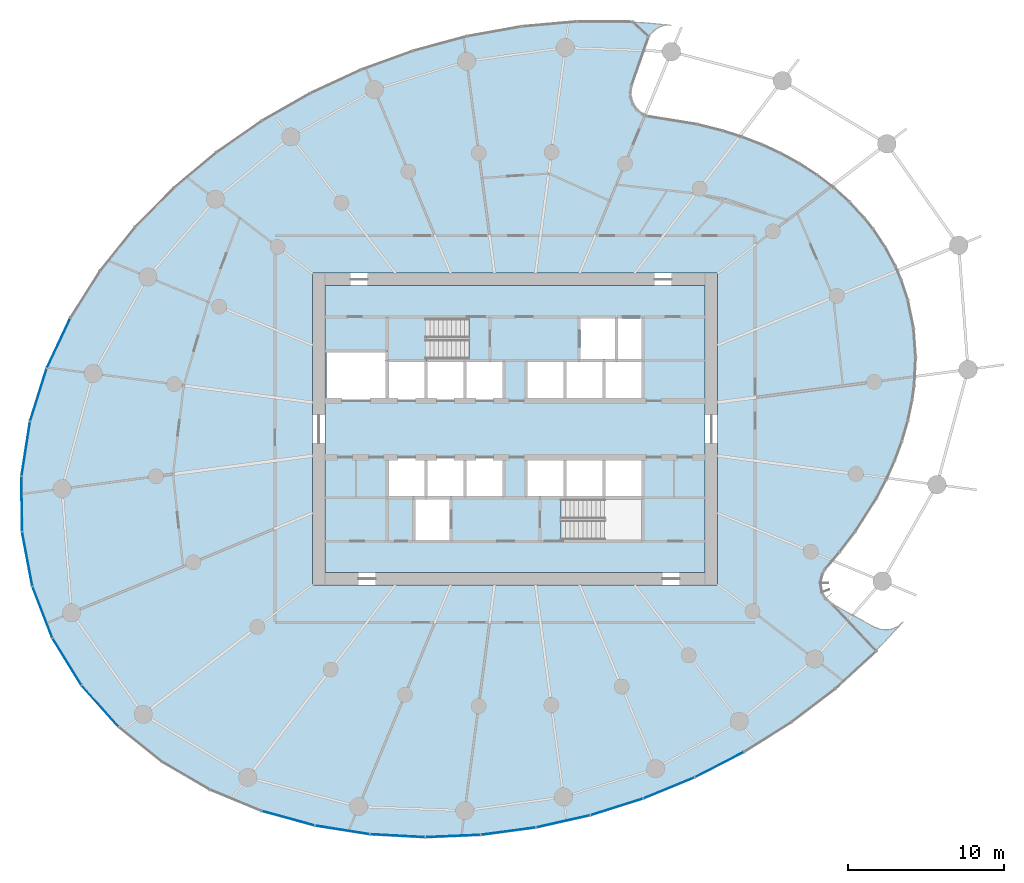
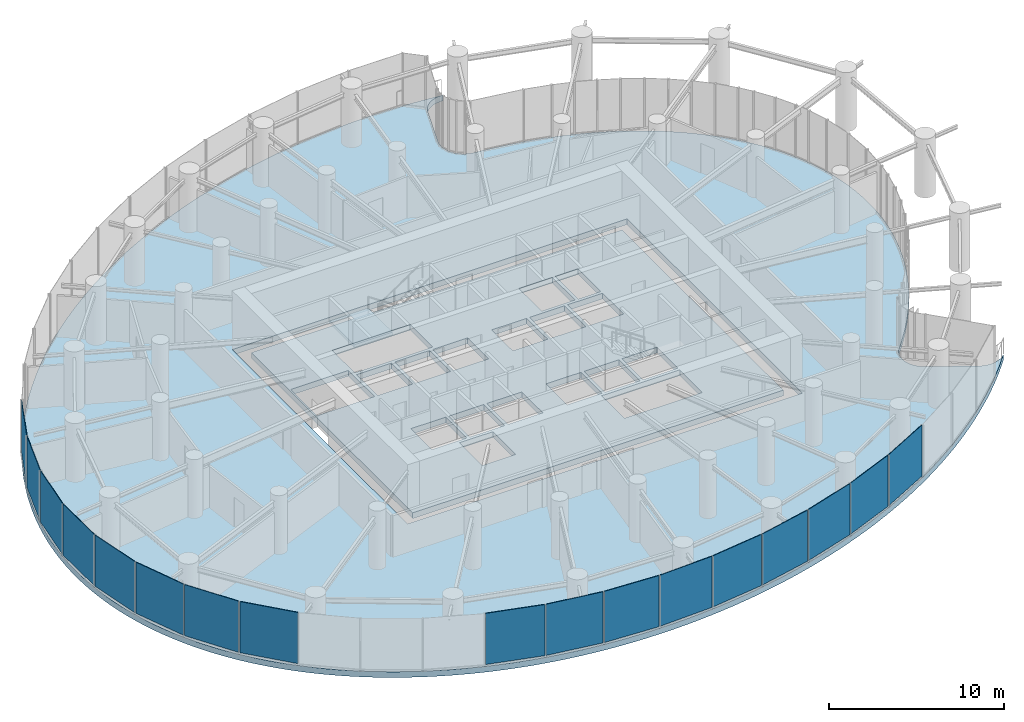
# One storey, part 10 of 21: 17 plates, 3 slabs, 5 elements without a shape of their own.
"""IFC4 building model written with IfcOpenShell, lengths in metres."""

from ifc_helpers import new_model, si_unit, direction, frame, origin, origin_2d, place, context, subcontext, project, spatial, line, indexed_curve, rectangle, outline, extrude, source, transform, mapped, material, layer, layer_set, type_object, element, aggregate, save


model = new_model("IFC4")

# Units and contexts
model_context = context("Model", 3, precision=1e-05, world=origin(), true_north=direction((0.0, 1.0)))
body_context = subcontext(model_context, "Body", "Model", "MODEL_VIEW")
ifc_project = project(units=[si_unit("LENGTHUNIT", "METRE"), si_unit("AREAUNIT", "SQUARE_METRE"), si_unit("VOLUMEUNIT", "CUBIC_METRE"), si_unit("PLANEANGLEUNIT", "RADIAN"), si_unit("MASSUNIT", "GRAM", prefix="KILO")], contexts=[model_context])

# Site, building, storey
site_placement = place(None, origin())
site = spatial("IfcSite", under=ifc_project, at=site_placement, CompositionType="ELEMENT")
building_placement = place(site_placement, origin())
building = spatial("IfcBuilding", under=site, at=building_placement, Name="Spindrift Exchange Tower", CompositionType="ELEMENT")
storey_placement = place(building_placement, frame((0.0, 0.0, 83.89990234375)))
storey = spatial("IfcBuildingStorey", under=building, at=storey_placement, Name="L19", CompositionType="ELEMENT", Elevation=83.89990234375)

# Slabs
ifc_material_1 = material(Name="Concrete 50 MPa", Category="concrete")
ifc_layer_1 = layer(ifc_material_1, 0.39990234375)
ifc_layer_set_1 = layer_set([ifc_layer_1], Name="RC Floor Slab 400 Concrete 50 MPa")
slab_type_1 = type_object("IfcSlabType", Name="RC Floor Slab 400 Concrete 50 MPa", PredefinedType="FLOOR", material=ifc_layer_set_1)
slab_1_placement = place(storey_placement, frame((0.0, 0.0, -0.39990234375)))
element("IfcSlab", 1, at=slab_1_placement, inside=storey, type_object=slab_type_1, Name="Floor slab L19", PredefinedType="FLOOR", context=body_context, shape_type="SweptSolid", body=[
    extrude(outline(indexed_curve([(76.87890625, 35.631591796875), (76.034912109375, 34.676513671875), (75.340576171875, 33.94189453125), (74.985595703125, 33.58203125), (74.260986328125, 32.877197265625), (73.891357421875, 32.532470703125), (73.138427734375, 31.858154296875), (72.36767578125, 31.2041015625), (71.975830078125, 30.884765625), (71.179931640625, 30.26171875), (70.77587890625, 29.9580078125), (69.95654296875, 29.365966796875), (69.54150390625, 29.07763671875), (68.7001953125, 28.51708984375), (67.845458984375, 27.977783203125), (67.4130859375, 27.7158203125), (66.538818359375, 27.20849609375), (65.652587890625, 26.722412109375), (65.205078125, 26.4873046875), (64.3017578125, 26.03369140625), (63.3876953125, 25.601806640625), (62.4638671875, 25.19189453125), (61.998046875, 24.995361328125), (61.5302734375, 24.804443359375), (60.587646484375, 24.439208984375), (59.63671875, 24.096435546875), (59.158203125, 23.933837890625), (58.677734375, 23.776611328125), (57.71142578125, 23.47998046875), (57.2255859375, 23.34033203125), (56.24951171875, 23.07861328125), (55.266845703125, 22.840576171875), (54.773681640625, 22.73046875), (53.783203125, 22.528564453125), (52.7880859375, 22.351318359375), (52.288818359375, 22.271728515625), (51.287841796875, 22.1318359375), (50.283447265625, 22.01708984375), (49.7802734375, 21.969482421875), (48.772216796875, 21.8935546875), (48.267578125, 21.865478515625), (47.257568359375, 21.829345703125), (46.24658203125, 21.8203125), (45.236083984375, 21.8388671875), (44.73095703125, 21.8583984375), (43.721923828125, 21.919189453125), (42.715087890625, 22.0087890625), (42.212890625, 22.064453125), (41.210693359375, 22.197998046875), (40.21337890625, 22.36181640625), (39.716552734375, 22.455078125), (38.727783203125, 22.665283203125), (38.236083984375, 22.781982421875), (37.2587890625, 23.03955078125), (36.290283203125, 23.32958984375), (35.81005859375, 23.48681640625), (34.85791015625, 23.826416015625), (33.918701171875, 24.19970703125), (32.993408203125, 24.60693359375), (32.536865234375, 24.82373046875), (31.63671875, 25.283203125), (31.193359375, 25.52587890625), (30.7548828125, 25.777587890625), (30.322021484375, 26.0380859375), (29.894287109375, 26.3076171875), (29.472412109375, 26.585693359375), (29.056396484375, 26.872802734375), (28.646484375, 27.168701171875), (28.243408203125, 27.4736328125), (27.846923828125, 27.787109375), (27.457763671875, 28.109619140625), (27.075927734375, 28.440673828125), (26.70166015625, 28.780517578125), (26.33544921875, 29.128662109375), (25.9775390625, 29.485595703125), (25.628173828125, 29.850830078125), (25.28759765625, 30.224365234375), (24.956298828125, 30.60595703125), (24.634521484375, 30.99560546875), (24.322265625, 31.39306640625), (24.020263671875, 31.79833984375), (23.728515625, 32.2109375), (23.447021484375, 32.630859375), (23.176513671875, 33.057861328125), (22.917236328125, 33.49169921875), (22.669189453125, 33.931884765625), (22.432373046875, 34.37841796875), (22.20751953125, 34.8310546875), (21.994384765625, 35.289306640625), (21.79345703125, 35.753173828125), (21.604736328125, 36.221923828125), (21.42822265625, 36.695556640625), (21.264404296875, 37.173583984375), (21.11279296875, 37.656005859375), (20.97412109375, 38.141845703125), (20.84814453125, 38.63134765625), (20.734619140625, 39.123779296875), (20.634033203125, 39.619140625), (20.54638671875, 40.116943359375), (20.47119140625, 40.61669921875), (20.40869140625, 41.1181640625), (20.35888671875, 41.62109375), (20.32177734375, 42.125244140625), (20.297119140625, 42.630126953125), (20.28466796875, 43.13525390625), (20.28466796875, 43.640625), (20.296630859375, 44.14599609375), (20.32080078125, 44.65087890625), (20.356689453125, 45.155029296875), (20.404052734375, 45.658203125), (20.463134765625, 46.16015625), (20.53369140625, 46.66064453125), (20.615234375, 47.159423828125), (20.707763671875, 47.65625), (20.81103515625, 48.15087890625), (20.925048828125, 48.6435546875), (21.04931640625, 49.13330078125), (21.183837890625, 49.62060546875), (21.328369140625, 50.10498046875), (21.482666015625, 50.586181640625), (21.819580078125, 51.5390625), (22.002197265625, 52.010498046875), (22.393798828125, 52.9423828125), (22.6025390625, 53.402587890625), (23.045166015625, 54.311279296875), (23.278564453125, 54.759521484375), (23.768798828125, 55.6435546875), (24.025146484375, 56.0791015625), (24.559814453125, 56.93701171875), (24.837646484375, 57.359375), (25.41357421875, 58.18994140625), (25.711181640625, 58.598388671875), (26.32568359375, 59.40087890625), (26.64208984375, 59.795166015625), (27.29248046875, 60.569091796875), (27.965087890625, 61.323486328125), (28.309814453125, 61.693115234375), (28.659423828125, 62.05810546875), (29.374267578125, 62.772705078125), (30.108642578125, 63.467529296875), (30.861572265625, 64.141845703125), (31.63232421875, 64.7958984375), (32.024169921875, 65.115234375), (32.420166015625, 65.42919921875), (33.22412109375, 66.0419921875), (33.6318359375, 66.3408203125), (34.45849609375, 66.92236328125), (35.2998046875, 67.48291015625), (36.154541015625, 68.022216796875), (36.5869140625, 68.2841796875), (37.461181640625, 68.79150390625), (37.90283203125, 69.037353515625), (38.794921875, 69.5126953125), (39.6982421875, 69.96630859375), (40.15380859375, 70.18505859375), (41.072998046875, 70.605712890625), (42.001953125, 71.004638671875), (42.93994140625, 71.381103515625), (43.88671875, 71.735107421875), (44.36328125, 71.903564453125), (45.322265625, 72.223388671875), (46.28857421875, 72.52001953125), (47.26171875, 72.79345703125), (47.75048828125, 72.92138671875), (48.733154296875, 73.159423828125), (49.720947265625, 73.37353515625), (50.7138671875, 73.563232421875), (51.711181640625, 73.728271484375), (52.211181640625, 73.80126953125), (52.712158203125, 73.8681640625), (53.716552734375, 73.98291015625), (54.723388671875, 74.07177734375), (55.227783203125, 74.1064453125), (56.2373046875, 74.156005859375), (57.247802734375, 74.178466796875), (58.2587890625, 74.173828125), (58.763916015625, 74.1611328125), (59.773681640625, 74.11474609375), (60.278076171875, 74.080810546875), (61.284912109375, 73.9912109375), (62.04931640625, 73.902587890625), (61.944580078125, 73.91064453125), (61.7978515625, 73.907470703125), (61.65234375, 73.89013671875), (61.509033203125, 73.8583984375), (61.36962890625, 73.813232421875), (61.235107421875, 73.75439453125), (61.107177734375, 73.682861328125), (60.98681640625, 73.59912109375), (60.875, 73.504150390625), (60.773193359375, 73.398681640625), (60.68212890625, 73.28369140625), (60.602783203125, 73.160400390625), (60.53564453125, 73.030029296875), (60.481689453125, 72.893798828125), (59.508544921875, 70.038330078125), (59.46728515625, 69.89404296875), (59.440673828125, 69.74609375), (59.4287109375, 69.596435546875), (59.43212890625, 69.4462890625), (59.4501953125, 69.297119140625), (59.4833984375, 69.150634765625), (59.531005859375, 69.008056640625), (59.59228515625, 68.87109375), (59.667236328125, 68.740966796875), (59.7548828125, 68.618896484375), (59.85400390625, 68.506103515625), (59.964111328125, 68.40380859375), (60.083984375, 68.31298828125), (60.2119140625, 68.234619140625), (60.347412109375, 68.169677734375), (60.488525390625, 68.118408203125), (60.63427734375, 68.081298828125), (61.650146484375, 67.956298828125), (62.065673828125, 67.89697265625), (62.879638671875, 67.761474609375), (63.687255859375, 67.60107421875), (64.5107421875, 67.408935546875), (64.936279296875, 67.2978515625), (65.750244140625, 67.062255859375), (66.17724609375, 66.92578125), (66.98876953125, 66.64013671875), (67.414306640625, 66.475830078125), (68.217529296875, 66.136962890625), (68.623291015625, 65.950439453125), (69.041748046875, 65.74658203125), (69.44189453125, 65.5400390625), (69.8232421875, 65.33203125), (70.231689453125, 65.096435546875), (70.619873046875, 64.859375), (71.00341796875, 64.612060546875), (71.364990234375, 64.365478515625), (71.7529296875, 64.0859375), (72.1181640625, 63.807373046875), (72.4599609375, 63.531494140625), (72.810546875, 63.23291015625), (73.168701171875, 62.90869140625), (73.501953125, 62.588623046875), (73.810302734375, 62.27490234375), (74.124755859375, 61.935546875), (74.4287109375, 61.586181640625), (74.736572265625, 61.208984375), (75.00341796875, 60.859619140625), (75.273193359375, 60.482666015625), (75.5439453125, 60.076171875), (75.7880859375, 59.681396484375), (76.0068359375, 59.30078125), (76.224609375, 58.89111328125), (76.4287109375, 58.474365234375), (76.628662109375, 58.027587890625), (76.80322265625, 57.597412109375), (76.963134765625, 57.161865234375), (77.108154296875, 56.720947265625), (77.23828125, 56.275390625), (77.353271484375, 55.825927734375), (77.447998046875, 55.3974609375), (77.53369140625, 54.941162109375), (77.607421875, 54.45849609375), (77.662109375, 53.998046875), (77.700439453125, 53.56005859375), (77.727294921875, 53.07373046875), (77.73779296875, 52.611083984375), (77.734375, 52.1484375), (77.718017578125, 51.708740234375), (77.687255859375, 51.247802734375), (77.64111328125, 50.766845703125), (77.583251953125, 50.31005859375), (77.5166015625, 49.8759765625), (77.434326171875, 49.423828125), (77.336181640625, 48.9560546875), (77.235107421875, 48.530029296875), (77.118408203125, 48.089111328125), (76.9912109375, 47.652099609375), (76.84814453125, 47.202880859375), (76.70654296875, 46.79248046875), (76.550048828125, 46.3701171875), (76.37841796875, 45.9375), (76.2041015625, 45.5263671875), (75.8388671875, 44.734619140625), (75.63525390625, 44.32666015625), (75.22802734375, 43.568603515625), (75.00439453125, 43.18017578125), (74.56201171875, 42.45751953125), (74.322265625, 42.088623046875), (73.843017578125, 41.391845703125), (73.3544921875, 40.72900390625), (72.844482421875, 40.08056640625), (72.577392578125, 39.756591796875), (71.910888671875, 38.979736328125), (71.828125, 38.854248046875), (71.758544921875, 38.72119140625), (71.702392578125, 38.581787109375), (71.660400390625, 38.437744140625), (71.633056640625, 38.2900390625), (71.62060546875, 38.140380859375), (71.623291015625, 37.989990234375), (71.640869140625, 37.8408203125), (71.67333984375, 37.694091796875), (71.72021484375, 37.551513671875), (71.781005859375, 37.414306640625), (71.85546875, 37.28369140625), (71.9423828125, 37.1611328125), (72.041015625, 37.048095703125), (72.150634765625, 36.9453125), (72.27001953125, 36.85400390625), (72.397705078125, 36.775146484375), (75.040771484375, 35.321044921875), (75.172607421875, 35.256591796875), (75.31005859375, 35.20556640625), (75.451904296875, 35.16796875), (75.596435546875, 35.14453125), (75.742919921875, 35.13525390625), (75.889404296875, 35.14013671875), (76.034912109375, 35.159423828125), (76.177490234375, 35.19287109375), (76.31640625, 35.239990234375), (76.4501953125, 35.300537109375), (76.5771484375, 35.373779296875), (76.696533203125, 35.458984375), (76.806884765625, 35.555419921875)], segments=[line(1, 2, 3, 4, 5, 6, 7, 8, 9, 10, 11, 12, 13, 14, 15, 16, 17, 18, 19, 20, 21, 22, 23, 24, 25, 26, 27, 28, 29, 30, 31, 32, 33, 34, 35, 36, 37, 38, 39, 40, 41, 42, 43, 44, 45, 46, 47, 48, 49, 50, 51, 52, 53, 54, 55, 56, 57, 58, 59, 60, 61, 62, 63, 64, 65, 66, 67, 68, 69, 70, 71, 72, 73, 74, 75, 76, 77, 78, 79, 80, 81, 82, 83, 84, 85, 86, 87, 88, 89, 90, 91, 92, 93, 94, 95, 96, 97, 98, 99, 100, 101, 102, 103, 104, 105, 106, 107, 108, 109, 110, 111, 112, 113, 114, 115, 116, 117, 118, 119, 120, 121, 122, 123, 124, 125, 126, 127, 128, 129, 130, 131, 132, 133, 134, 135, 136, 137, 138, 139, 140, 141, 142, 143, 144, 145, 146, 147, 148, 149, 150, 151, 152, 153, 154, 155, 156, 157, 158, 159, 160, 161, 162, 163, 164, 165, 166, 167, 168, 169, 170, 171, 172, 173, 174, 175, 176, 177, 178, 179, 180, 181, 182, 183, 184, 185, 186, 187, 188, 189, 190, 191, 192, 193, 194, 195, 196, 197, 198, 199, 200, 201, 202, 203, 204, 205, 206, 207, 208, 209, 210, 211, 212, 213, 214, 215, 216, 217, 218, 219, 220, 221, 222, 223, 224, 225, 226, 227, 228, 229, 230, 231, 232, 233, 234, 235, 236, 237, 238, 239, 240, 241, 242, 243, 244, 245, 246, 247, 248, 249, 250, 251, 252, 253, 254, 255, 256, 257, 258, 259, 260, 261, 262, 263, 264, 265, 266, 267, 268, 269, 270, 271, 272, 273, 274, 275, 276, 277, 278, 279, 280, 281, 282, 283, 284, 285, 286, 287, 288, 289, 290, 291, 292, 293, 294, 295, 296, 297, 298, 299, 300, 301, 302, 303, 304, 305, 306, 307, 308, 309, 310, 311, 312, 313, 314, 315, 316, 317, 318, 319, 320, 1)], self_intersect=False), holes=[indexed_curve([(39.0, 38.0), (65.0, 38.0), (65.0, 58.0), (39.0, 58.0)], segments=[line(1, 2, 3, 4, 1)], self_intersect=False)]), origin(), (0.0, 0.0, 1.0), 0.39990234375),
])
ifc_layer_2 = layer(ifc_material_1, 0.39990234375)
ifc_layer_set_2 = layer_set([ifc_layer_2], Name="SL-CORE-FLOOR-400")
slab_type_2 = type_object("IfcSlabType", Name="SL-CORE-FLOOR-400", PredefinedType="FLOOR", material=ifc_layer_set_2)
slab_2_placement = place(storey_placement, frame((0.0, 0.0, -0.39990234375)))
element("IfcSlab", 2, at=slab_2_placement, inside=storey, type_object=slab_type_2, Name="L19 Core floor slab", PredefinedType="FLOOR", context=body_context, shape_type="SweptSolid", body=[
    extrude(outline(indexed_curve([(39.800048828125, 38.800048828125), (39.800048828125, 57.199951171875), (64.199951171875, 57.199951171875), (64.199951171875, 38.800048828125)], segments=[line(1, 2, 3, 4, 1)], self_intersect=False), holes=[indexed_curve([(47.800048828125, 43.5), (45.60009765625, 43.5), (45.60009765625, 40.89990234375), (47.800048828125, 40.89990234375)], segments=[line(1, 2, 3, 4, 1)], self_intersect=False), indexed_curve([(46.199951171875, 46.10009765625), (43.89990234375, 46.10009765625), (43.89990234375, 43.699951171875), (46.199951171875, 43.699951171875)], segments=[line(1, 2, 3, 4, 1)], self_intersect=False), indexed_curve([(48.699951171875, 46.10009765625), (46.39990234375, 46.10009765625), (46.39990234375, 43.699951171875), (48.699951171875, 43.699951171875)], segments=[line(1, 2, 3, 4, 1)], self_intersect=False), indexed_curve([(51.199951171875, 46.10009765625), (48.89990234375, 46.10009765625), (48.89990234375, 43.699951171875), (51.199951171875, 43.699951171875)], segments=[line(1, 2, 3, 4, 1)], self_intersect=False), indexed_curve([(46.199951171875, 52.300048828125), (43.89990234375, 52.300048828125), (43.89990234375, 49.89990234375), (46.199951171875, 49.89990234375)], segments=[line(1, 2, 3, 4, 1)], self_intersect=False), indexed_curve([(48.699951171875, 52.300048828125), (46.39990234375, 52.300048828125), (46.39990234375, 49.89990234375), (48.699951171875, 49.89990234375)], segments=[line(1, 2, 3, 4, 1)], self_intersect=False), indexed_curve([(51.199951171875, 52.300048828125), (48.89990234375, 52.300048828125), (48.89990234375, 49.89990234375), (51.199951171875, 49.89990234375)], segments=[line(1, 2, 3, 4, 1)], self_intersect=False), indexed_curve([(43.699951171875, 49.89990234375), (43.699951171875, 52.89990234375), (39.89990234375, 52.89990234375), (39.89990234375, 49.89990234375)], segments=[line(1, 2, 3, 4, 1)], self_intersect=False), indexed_curve([(49.0439453125, 55.093994140625), (43.906005859375, 55.093994140625), (43.906005859375, 52.506103515625), (49.0439453125, 52.506103515625)], segments=[line(1, 2, 3, 4, 1)], self_intersect=False), indexed_curve([(60.093994140625, 40.906005859375), (60.093994140625, 43.493896484375), (54.9560546875, 43.493896484375), (54.9560546875, 40.906005859375)], segments=[line(1, 2, 3, 4, 1)], self_intersect=False), indexed_curve([(55.10009765625, 46.10009765625), (52.800048828125, 46.10009765625), (52.800048828125, 43.699951171875), (55.10009765625, 43.699951171875)], segments=[line(1, 2, 3, 4, 1)], self_intersect=False), indexed_curve([(57.60009765625, 46.10009765625), (55.300048828125, 46.10009765625), (55.300048828125, 43.699951171875), (57.60009765625, 43.699951171875)], segments=[line(1, 2, 3, 4, 1)], self_intersect=False), indexed_curve([(60.10009765625, 46.10009765625), (57.800048828125, 46.10009765625), (57.800048828125, 43.699951171875), (60.10009765625, 43.699951171875)], segments=[line(1, 2, 3, 4, 1)], self_intersect=False), indexed_curve([(55.10009765625, 52.300048828125), (52.800048828125, 52.300048828125), (52.800048828125, 49.89990234375), (55.10009765625, 49.89990234375)], segments=[line(1, 2, 3, 4, 1)], self_intersect=False), indexed_curve([(57.60009765625, 52.300048828125), (55.300048828125, 52.300048828125), (55.300048828125, 49.89990234375), (57.60009765625, 49.89990234375)], segments=[line(1, 2, 3, 4, 1)], self_intersect=False), indexed_curve([(60.10009765625, 52.300048828125), (57.800048828125, 52.300048828125), (57.800048828125, 49.89990234375), (60.10009765625, 49.89990234375)], segments=[line(1, 2, 3, 4, 1)], self_intersect=False), indexed_curve([(58.39990234375, 52.5), (58.39990234375, 55.10009765625), (56.199951171875, 55.10009765625), (56.199951171875, 52.5)], segments=[line(1, 2, 3, 4, 1)], self_intersect=False), indexed_curve([(60.10009765625, 52.5), (60.10009765625, 55.10009765625), (58.60009765625, 55.10009765625), (58.60009765625, 52.5)], segments=[line(1, 2, 3, 4, 1)], self_intersect=False)]), origin(), (0.0, 0.0, 1.0), 0.39990234375),
])

# Stair, slab
stair_type = type_object("IfcStairType", Name="ST-1250-R186", PredefinedType="HALF_TURN_STAIR", material=ifc_material_1)
stair_placement = place(storey_placement, origin())
stair = element("IfcStair", 3, at=stair_placement, inside=storey, type_object=stair_type, Name="L19 Exit stair ST1", PredefinedType="HALF_TURN_STAIR")
ifc_layer_3 = layer(ifc_material_1, 0.199951171875)
ifc_layer_set_3 = layer_set([ifc_layer_3], Name="SL-LANDING")
slab_type_3 = type_object("IfcSlabType", Name="SL-LANDING", PredefinedType="LANDING", material=ifc_layer_set_3)
slab_3_placement = place(storey_placement, frame((0.0, 0.0, 1.85009765625)))
slab_3 = element("IfcSlab", 4, at=slab_3_placement, type_object=slab_type_3, Name="ST1 landing 1", PredefinedType="LANDING", context=body_context, shape_type="SweptSolid", body=[
    extrude(outline(indexed_curve([(46.330078125, 52.39990234375), (43.800048828125, 52.39990234375), (43.800048828125, 55.199951171875), (46.330078125, 55.199951171875)], segments=[line(1, 2, 3, 4, 1)], self_intersect=False)), origin(), (0.0, 0.0, 1.0), 0.199951171875),
])
aggregate(stair, [slab_3])

# Curtain wall, plates
ifc_material_2 = material(Name="Fritted laminated glass with bronze frame", Category="glass")
ifc_layer_4 = layer(ifc_material_2, 0.18994140625)
ifc_layer_set_4 = layer_set([ifc_layer_4], Name="ZONE 2 BRONZE FRITTED WALL")
curtain_wall_type = type_object("IfcCurtainWallType", Name="ZONE 2 BRONZE FRITTED WALL", PredefinedType="NOTDEFINED", material=ifc_layer_set_4)
curtain_wall_1_placement = place(storey_placement, origin())
curtain_wall_1 = element("IfcCurtainWall", 5, at=curtain_wall_1_placement, inside=storey, type_object=curtain_wall_type, Name="L19 Zone 2 Bronze Fritted Wall run 5", PredefinedType="NOTDEFINED")
ifc_material_3 = material(Name="Bronze fritted laminated glass, close frit", Category="glass")
ifc_layer_5 = layer(ifc_material_3, 0.033935546875)
ifc_layer_set_5 = layer_set([ifc_layer_5], Name="ZONE 2 BRONZE FRITTED WALL PANEL CLOSE FRIT 420")
plate_type_1 = type_object("IfcPlateType", Name="ZONE 2 BRONZE FRITTED WALL PANEL CLOSE FRIT 420", PredefinedType="CURTAIN_PANEL", material=ifc_layer_set_5)
shared_shape_1 = source(origin(), body_context, "Body", "SweptSolid", [
    extrude(rectangle(XDim=3.491455078125, YDim=0.033935546875, at=origin_2d()), origin(), (0.0, 0.0, 1.0), 3.56005859375),
])
plate_1_placement = place(storey_placement, frame((48.0283203125, 21.896240234375, 0.14013671875), z_axis=(0.0, 0.0, 1.0), x_axis=(0.999094985855, 0.042534800326, 0.0)))
plate_1 = element("IfcPlate", 6, at=plate_1_placement, type_object=plate_type_1, Name="L19 panel CW-2.27", PredefinedType="CURTAIN_PANEL", context=body_context, shape_type="MappedRepresentation", body=[
    mapped(shared_shape_1, transform((0.0, 0.0, 0.0), scale=1.0)),
])
shared_shape_2 = source(origin(), body_context, "Body", "SweptSolid", [
    extrude(rectangle(XDim=3.49169921875, YDim=0.033935546875, at=origin_2d()), origin(), (0.0, 0.0, 1.0), 3.56005859375),
])
plate_2_placement = place(storey_placement, frame((51.577392578125, 22.209716796875, 0.14013671875), z_axis=(0.0, 0.0, 1.0), x_axis=(0.991084406313, 0.133235504138, 0.0)))
plate_2 = element("IfcPlate", 7, at=plate_2_placement, type_object=plate_type_1, Name="L19 panel CW-2.28", PredefinedType="CURTAIN_PANEL", context=body_context, shape_type="MappedRepresentation", body=[
    mapped(shared_shape_2, transform((0.0, 0.0, 0.0), scale=1.0)),
])

curtain_wall_2_placement = place(storey_placement, origin())
curtain_wall_2 = element("IfcCurtainWall", 8, at=curtain_wall_2_placement, inside=storey, type_object=curtain_wall_type, Name="L19 Zone 2 Bronze Fritted Wall run 6", PredefinedType="NOTDEFINED")
plate_3_placement = place(storey_placement, frame((61.8740234375, 24.984619140625, 0.14013671875), z_axis=(0.0, 0.0, 1.0), x_axis=(0.924624495011, 0.380879959076, 0.0)))
plate_3 = element("IfcPlate", 9, at=plate_3_placement, type_object=plate_type_1, Name="L19 panel CW-2.31", PredefinedType="CURTAIN_PANEL", context=body_context, shape_type="MappedRepresentation", body=[
    mapped(shared_shape_2, transform((0.0, 0.0, 0.0), scale=1.0)),
])
plate_4_placement = place(storey_placement, frame((65.1083984375, 26.480224609375, 0.14013671875), z_axis=(0.0, 0.0, 1.0), x_axis=(0.889111421238, 0.457690813348, 0.0)))
plate_4 = element("IfcPlate", 10, at=plate_4_placement, type_object=plate_type_1, Name="L19 panel CW-2.32", PredefinedType="CURTAIN_PANEL", context=body_context, shape_type="MappedRepresentation", body=[
    mapped(shared_shape_2, transform((0.0, 0.0, 0.0), scale=1.0)),
])
aggregate(curtain_wall_2, [plate_3, plate_4])

# Plate
ifc_layer_6 = layer(ifc_material_3, 0.033935546875)
ifc_layer_set_6 = layer_set([ifc_layer_6], Name="ZONE 2 BRONZE FRITTED WALL PANEL CLOSE FRIT 300")
plate_type_2 = type_object("IfcPlateType", Name="ZONE 2 BRONZE FRITTED WALL PANEL CLOSE FRIT 300", PredefinedType="CURTAIN_PANEL", material=ifc_layer_set_6)
shared_shape_3 = source(origin(), body_context, "Body", "SweptSolid", [
    extrude(rectangle(XDim=3.49169921875, YDim=0.033935546875, at=origin_2d()), origin(), (0.0, 0.0, 1.0), 3.56005859375),
])
plate_5_placement = place(storey_placement, frame((55.084716796875, 22.83837890625, 0.14013671875), z_axis=(0.0, 0.0, 1.0), x_axis=(0.975649138606, 0.219337088377, 0.0)))
plate_5 = element("IfcPlate", 11, at=plate_5_placement, type_object=plate_type_2, Name="L19 panel CW-2.29", PredefinedType="CURTAIN_PANEL", context=body_context, shape_type="MappedRepresentation", body=[
    mapped(shared_shape_3, transform((0.0, 0.0, 0.0), scale=1.0)),
])

ifc_layer_7 = layer(ifc_material_3, 0.033935546875)
ifc_layer_set_7 = layer_set([ifc_layer_7], Name="ZONE 2 BRONZE FRITTED WALL PANEL CLOSE FRIT 540")
plate_type_3 = type_object("IfcPlateType", Name="ZONE 2 BRONZE FRITTED WALL PANEL CLOSE FRIT 540", PredefinedType="CURTAIN_PANEL", material=ifc_layer_set_7)
shared_shape_4 = source(origin(), body_context, "Body", "SweptSolid", [
    extrude(rectangle(XDim=3.49169921875, YDim=0.033935546875, at=origin_2d()), origin(), (0.0, 0.0, 1.0), 3.56005859375),
])
plate_6_placement = place(storey_placement, frame((58.524658203125, 23.767578125, 0.14013671875), z_axis=(0.0, 0.0, 1.0), x_axis=(0.953416798904, 0.301656108122, 0.0)))
plate_6 = element("IfcPlate", 12, at=plate_6_placement, type_object=plate_type_3, Name="L19 panel CW-2.30", PredefinedType="CURTAIN_PANEL", context=body_context, shape_type="MappedRepresentation", body=[
    mapped(shared_shape_4, transform((0.0, 0.0, 0.0), scale=1.0)),
])

shared_shape_5 = source(origin(), body_context, "Body", "SweptSolid", [
    extrude(rectangle(XDim=3.4912109375, YDim=0.033935546875, at=origin_2d()), origin(), (0.0, 0.0, 1.0), 3.56005859375),
])
plate_7_placement = place(storey_placement, frame((40.924560546875, 22.290283203125, 0.14013671875), z_axis=(0.0, 0.0, 1.0), x_axis=(0.987730624048, -0.15616726391, 0.0)))
plate_7 = element("IfcPlate", 13, at=plate_7_placement, type_object=plate_type_2, Name="L19 panel CW-2.25", PredefinedType="CURTAIN_PANEL", context=body_context, shape_type="MappedRepresentation", body=[
    mapped(shared_shape_5, transform((0.0, 0.0, 0.0), scale=1.0)),
])

shared_shape_6 = source(origin(), body_context, "Body", "SweptSolid", [
    extrude(rectangle(XDim=3.4912109375, YDim=0.033935546875, at=origin_2d()), origin(), (0.0, 0.0, 1.0), 3.56005859375),
])
plate_8_placement = place(storey_placement, frame((44.466064453125, 21.916015625, 0.14013671875), z_axis=(0.0, 0.0, 1.0), x_axis=(0.99855876689, -0.053669256261, 0.0)))
plate_8 = element("IfcPlate", 14, at=plate_8_placement, type_object=plate_type_3, Name="L19 panel CW-2.26", PredefinedType="CURTAIN_PANEL", context=body_context, shape_type="MappedRepresentation", body=[
    mapped(shared_shape_6, transform((0.0, 0.0, 0.0), scale=1.0)),
])

aggregate(curtain_wall_1, [plate_7, plate_8, plate_1, plate_2, plate_5, plate_6])

# Curtain wall, plate
curtain_wall_3_placement = place(storey_placement, origin())
curtain_wall_3 = element("IfcCurtainWall", 15, at=curtain_wall_3_placement, inside=storey, type_object=curtain_wall_type, Name="L19 Zone 2 Bronze Fritted Wall run 4", PredefinedType="NOTDEFINED")
shared_shape_7 = source(origin(), body_context, "Body", "SweptSolid", [
    extrude(rectangle(XDim=3.49072265625, YDim=0.033935546875, at=origin_2d()), origin(), (0.0, 0.0, 1.0), 3.56005859375),
])
plate_9_placement = place(storey_placement, frame((37.4443359375, 23.0419921875, 0.14013671875), z_axis=(0.0, 0.0, 1.0), x_axis=(0.964111624335, -0.265497223755, 0.0)))
plate_9 = element("IfcPlate", 16, at=plate_9_placement, type_object=plate_type_1, Name="L19 panel CW-2.24", PredefinedType="CURTAIN_PANEL", context=body_context, shape_type="MappedRepresentation", body=[
    mapped(shared_shape_7, transform((0.0, 0.0, 0.0), scale=1.0)),
])

# Curtain wall, plates
curtain_wall_4_placement = place(storey_placement, origin())
curtain_wall_4 = element("IfcCurtainWall", 17, at=curtain_wall_4_placement, inside=storey, type_object=curtain_wall_type, Name="L19 Zone 2 Bronze Fritted Wall run 3", PredefinedType="NOTDEFINED")
shared_shape_8 = source(origin(), body_context, "Body", "SweptSolid", [
    extrude(rectangle(XDim=3.490234375, YDim=0.033935546875, at=origin_2d()), origin(), (0.0, 0.0, 1.0), 3.56005859375),
])
plate_10_placement = place(storey_placement, frame((22.717529296875, 53.5126953125, 0.14013671875), z_axis=(0.0, 0.0, 1.0), x_axis=(-0.425859830155, -0.904789149504, 0.0)))
plate_10 = element("IfcPlate", 18, at=plate_10_placement, type_object=plate_type_2, Name="L19 panel CW-2.13", PredefinedType="CURTAIN_PANEL", context=body_context, shape_type="MappedRepresentation", body=[
    mapped(shared_shape_8, transform((0.0, 0.0, 0.0), scale=1.0)),
])
shared_shape_9 = source(origin(), body_context, "Body", "SweptSolid", [
    extrude(rectangle(XDim=3.48974609375, YDim=0.033935546875, at=origin_2d()), origin(), (0.0, 0.0, 1.0), 3.56005859375),
])
plate_11_placement = place(storey_placement, frame((21.424560546875, 50.199462890625, 0.14013671875), z_axis=(0.0, 0.0, 1.0), x_axis=(-0.299575359099, -0.954072640956, 0.0)))
plate_11 = element("IfcPlate", 19, at=plate_11_placement, type_object=plate_type_1, Name="L19 panel CW-2.14", PredefinedType="CURTAIN_PANEL", context=body_context, shape_type="MappedRepresentation", body=[
    mapped(shared_shape_9, transform((0.0, 0.0, 0.0), scale=1.0)),
])
shared_shape_10 = source(origin(), body_context, "Body", "SweptSolid", [
    extrude(rectangle(XDim=3.489013671875, YDim=0.033935546875, at=origin_2d()), origin(), (0.0, 0.0, 1.0), 3.56005859375),
])
plate_12_placement = place(storey_placement, frame((20.61669921875, 46.738037109375, 0.14013671875), z_axis=(0.0, 0.0, 1.0), x_axis=(-0.153729174791, -0.988113020265, 0.0)))
plate_12 = element("IfcPlate", 20, at=plate_12_placement, type_object=plate_type_2, Name="L19 panel CW-2.15", PredefinedType="CURTAIN_PANEL", context=body_context, shape_type="MappedRepresentation", body=[
    mapped(shared_shape_10, transform((0.0, 0.0, 0.0), scale=1.0)),
])
shared_shape_11 = source(origin(), body_context, "Body", "SweptSolid", [
    extrude(rectangle(XDim=3.48828125, YDim=0.033935546875, at=origin_2d()), origin(), (0.0, 0.0, 1.0), 3.56005859375),
])
plate_13_placement = place(storey_placement, frame((20.3603515625, 43.195556640625, 0.14013671875), z_axis=(0.0, 0.0, 1.0), x_axis=(0.009934250694, -0.999950654114, 0.0)))
plate_13 = element("IfcPlate", 21, at=plate_13_placement, type_object=plate_type_2, Name="L19 panel CW-2.16", PredefinedType="CURTAIN_PANEL", context=body_context, shape_type="MappedRepresentation", body=[
    mapped(shared_shape_11, transform((0.0, 0.0, 0.0), scale=1.0)),
])

# Plate
plate_14_placement = place(storey_placement, frame((25.384033203125, 30.230712890625, 0.14013671875), z_axis=(0.0, 0.0, 1.0), x_axis=(0.666443990683, -0.745555100098, 0.0)))
plate_14 = element("IfcPlate", 22, at=plate_14_placement, type_object=plate_type_2, Name="L19 panel CW-2.20", PredefinedType="CURTAIN_PANEL", context=body_context, shape_type="MappedRepresentation", body=[
    mapped(shared_shape_11, transform((0.0, 0.0, 0.0), scale=1.0)),
])

shared_shape_12 = source(origin(), body_context, "Body", "SweptSolid", [
    extrude(rectangle(XDim=3.48779296875, YDim=0.033935546875, at=origin_2d()), origin(), (0.0, 0.0, 1.0), 3.56005859375),
])
plate_15_placement = place(storey_placement, frame((20.7080078125, 39.663330078125, 0.14013671875), z_axis=(0.0, 0.0, 1.0), x_axis=(0.185212125086, -0.982698564526, 0.0)))
plate_15 = element("IfcPlate", 23, at=plate_15_placement, type_object=plate_type_1, Name="L19 panel CW-2.17", PredefinedType="CURTAIN_PANEL", context=body_context, shape_type="MappedRepresentation", body=[
    mapped(shared_shape_12, transform((0.0, 0.0, 0.0), scale=1.0)),
])

plate_16_placement = place(storey_placement, frame((21.681396484375, 36.251708984375, 0.14013671875), z_axis=(0.0, 0.0, 1.0), x_axis=(0.361302360519, -0.932448714023, 0.0)))
plate_16 = element("IfcPlate", 24, at=plate_16_placement, type_object=plate_type_1, Name="L19 panel CW-2.18", PredefinedType="CURTAIN_PANEL", context=body_context, shape_type="MappedRepresentation", body=[
    mapped(shared_shape_12, transform((0.0, 0.0, 0.0), scale=1.0)),
])

aggregate(curtain_wall_4, [plate_10, plate_11, plate_12, plate_13, plate_15, plate_16])

shared_shape_13 = source(origin(), body_context, "Body", "SweptSolid", [
    extrude(rectangle(XDim=3.48779296875, YDim=0.033935546875, at=origin_2d()), origin(), (0.0, 0.0, 1.0), 3.56005859375),
])
plate_17_placement = place(storey_placement, frame((23.260986328125, 33.07470703125, 0.14013671875), z_axis=(0.0, 0.0, 1.0), x_axis=(0.525305327136, -0.850913810725, 0.0)))
plate_17 = element("IfcPlate", 25, at=plate_17_placement, type_object=plate_type_3, Name="L19 panel CW-2.19", PredefinedType="CURTAIN_PANEL", context=body_context, shape_type="MappedRepresentation", body=[
    mapped(shared_shape_13, transform((0.0, 0.0, 0.0), scale=1.0)),
])

aggregate(curtain_wall_3, [plate_17, plate_14, plate_9])

save(model, "model.ifc")
